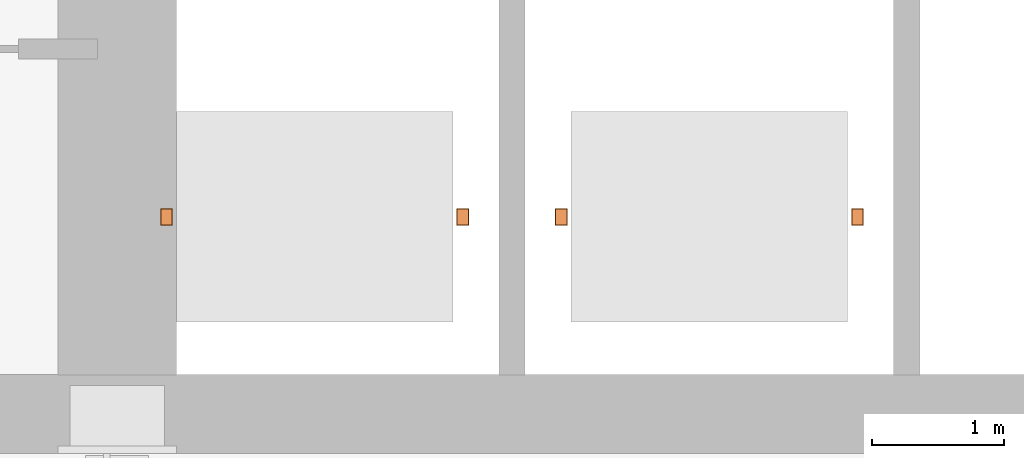
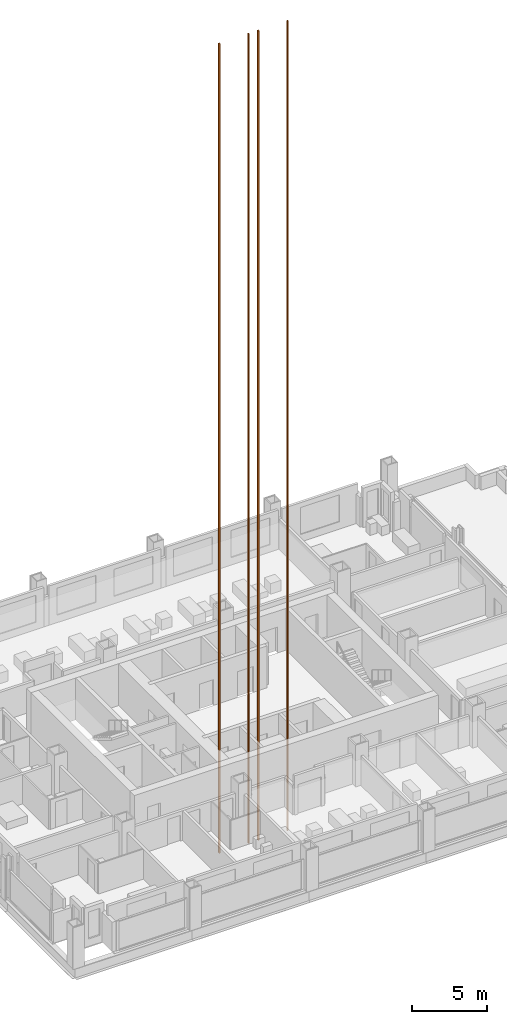
# One storey, part 19 of 19: 2 proxies.
"""IFC4 building model written with IfcOpenShell, lengths in metres."""

from ifc_helpers import new_model, si_unit, direction, frame, frame_2d, origin, place, context, subcontext, project, spatial, rectangle, extrude, material, type_object, element, save


model = new_model("IFC4")

# Units and contexts
model_context = context("Model", 3, precision=1e-05, world=origin(), true_north=direction((0.0, 1.0)))
body_context = subcontext(model_context, "Body", "Model", "MODEL_VIEW")
ifc_project = project(units=[si_unit("LENGTHUNIT", "METRE"), si_unit("AREAUNIT", "SQUARE_METRE"), si_unit("VOLUMEUNIT", "CUBIC_METRE"), si_unit("PLANEANGLEUNIT", "RADIAN"), si_unit("MASSUNIT", "GRAM", prefix="KILO")], contexts=[model_context])

# Site, building, storey
site_placement = place(None, origin())
site = spatial("IfcSite", under=ifc_project, at=site_placement, CompositionType="ELEMENT")
building_placement = place(site_placement, origin())
building = spatial("IfcBuilding", under=site, at=building_placement, Name="Loomwork Tower", CompositionType="ELEMENT")
storey_placement = place(building_placement, frame((0.0, 0.0, 94.199951171875)))
storey = spatial("IfcBuildingStorey", under=building, at=storey_placement, Name="L24", CompositionType="ELEMENT", Elevation=94.199951171875)

# Proxies
ifc_material = material(Name="Steel guide rails", Category="steel")
building_element_proxy_type = type_object("IfcBuildingElementProxyType", Name="Lift guide rail frame", PredefinedType="USERDEFINED", material=ifc_material)
for number, where, z_axis, x_axis, name in (
    (1, (19.5, 12.60009765625, -5.0), (0.0, 0.0, 1.0), (1.0, 0.0, 0.0), "Lift guide rail frame LB1"),
    (2, (22.5, 12.60009765625, -5.0), (0.0, 0.0, 1.0), (1.0, 0.0, 0.0), "Lift guide rail frame LB2"),
):
    element("IfcBuildingElementProxy", number, at=place(storey_placement, frame(where, z_axis=z_axis, x_axis=x_axis)), inside=storey, type_object=building_element_proxy_type, Name=name, ObjectType="LIFT GUIDE RAIL FRAME", PredefinedType="USERDEFINED", context=body_context, shape_type="SweptSolid", body=[
        extrude(rectangle(XDim=0.090087890625, YDim=0.125, at=frame_2d((-1.125, 0.0))), origin(), (0.0, 0.0, 1.0), 65.89990234375),
        extrude(rectangle(XDim=0.090087890625, YDim=0.125, at=frame_2d((1.125, 0.0))), origin(), (0.0, 0.0, 1.0), 65.89990234375),
    ])

save(model, "model.ifc")
